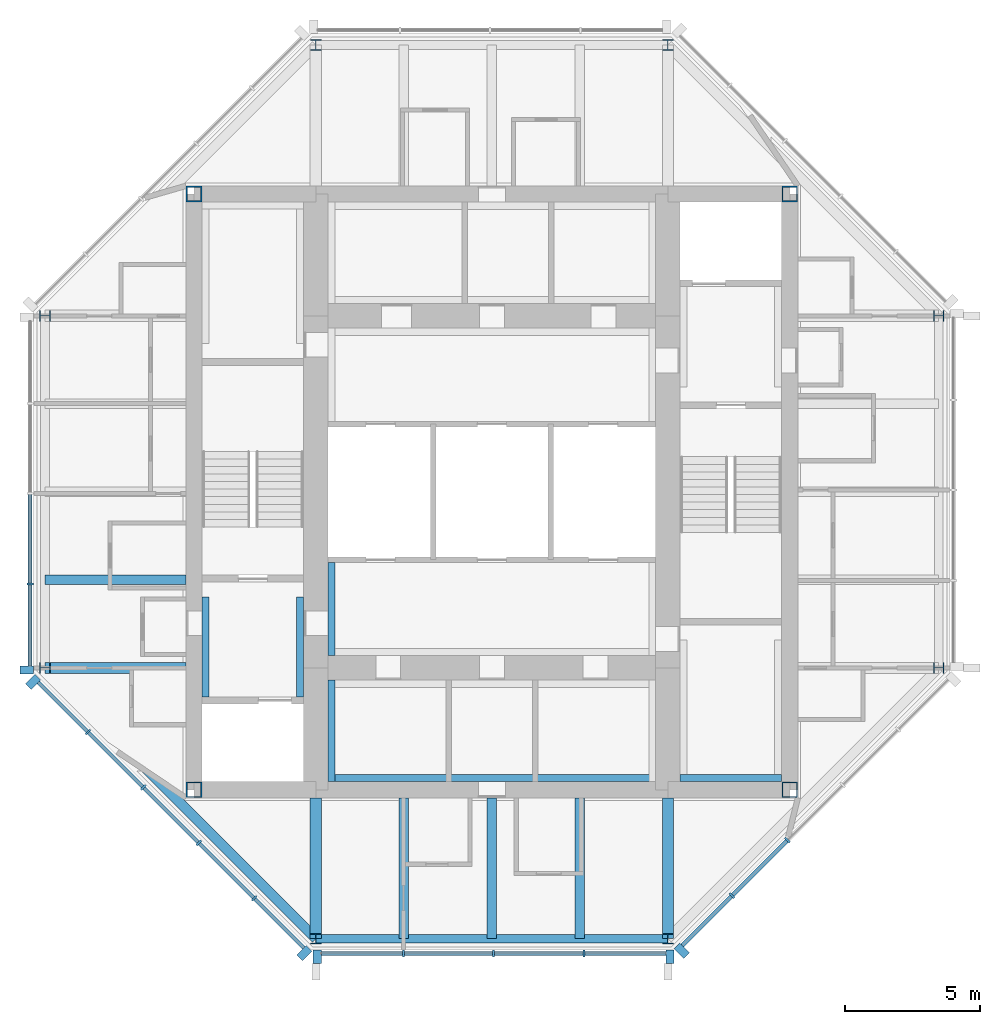
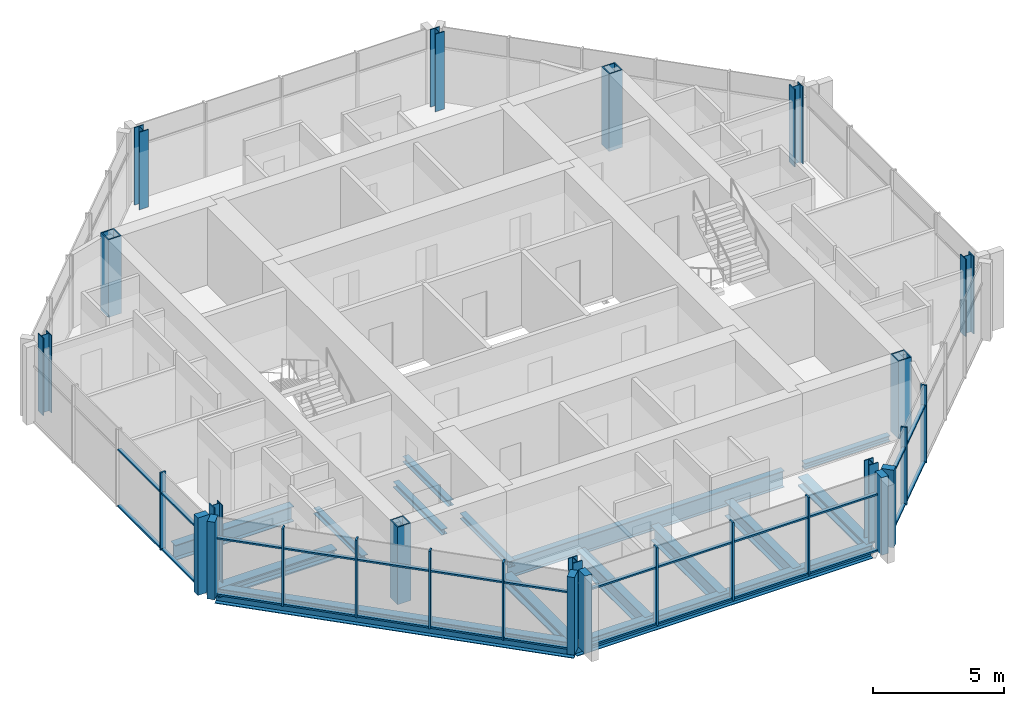
# One storey, part 1 of 9: 42 members, 15 beams, 12 columns, 4 elements without a shape of their own.
"""IFC4 building model written with IfcOpenShell, lengths in metres."""

from ifc_helpers import new_model, si_unit, direction, frame, origin, origin_2d, place, context, subcontext, project, spatial, rectangle, hollow_rectangle, i_section, extrude, material, material_profile, profile_set, type_object, element, aggregate, save


model = new_model("IFC4")

# Units and contexts
model_context = context("Model", 3, precision=1e-05, world=origin(), true_north=direction((0.0, 1.0)))
body_context = subcontext(model_context, "Body", "Model", "MODEL_VIEW")
ifc_project = project(units=[si_unit("LENGTHUNIT", "METRE"), si_unit("AREAUNIT", "SQUARE_METRE"), si_unit("VOLUMEUNIT", "CUBIC_METRE"), si_unit("PLANEANGLEUNIT", "RADIAN"), si_unit("MASSUNIT", "GRAM", prefix="KILO")], contexts=[model_context])

# Site, building, storey
site_placement = place(None, origin())
site = spatial("IfcSite", under=ifc_project, at=site_placement, CompositionType="ELEMENT")
building_placement = place(site_placement, origin())
building = spatial("IfcBuilding", under=site, at=building_placement, Name="Trevanion Tower", CompositionType="ELEMENT")
storey_placement = place(building_placement, frame((0.0, 0.0, 292.0)))
storey = spatial("IfcBuildingStorey", under=building, at=storey_placement, Name="L72", CompositionType="ELEMENT", Elevation=292.0)

# Columns
ifc_material_1 = material(Name="Steel ASTM A913 Grade 65", Category="steel")
ifc_material_profile_1 = material_profile(ifc_material_1, i_section(OverallWidth=0.4013671875, OverallDepth=0.398681640625, WebThickness=0.02490234375, FlangeThickness=0.03955078125, at=origin_2d()), Name="W14X211")
ifc_profile_set_1 = profile_set([ifc_material_profile_1], Name="Steel ASTM A913 Grade 65")
column_type_1 = type_object("IfcColumnType", Name="C6 W14X211", PredefinedType="COLUMN", material=ifc_profile_set_1)
for number, where, z_axis, x_axis, name in (
    (1, (-16.5, -6.5, 0.0), (0.0, 0.0, 1.0), (0.0, 1.0, 0.0), "C6 7/G L72"),
    (2, (-6.5, -16.5, 0.0), (0.0, 0.0, 1.0), (1.0, 0.0, 0.0), "C6 9/E L72"),
    (3, (6.5, -16.5, 0.0), (0.0, 0.0, 1.0), (1.0, 0.0, 0.0), "C6 11/E L72"),
    (4, (16.5, -6.5, 0.0), (0.0, 0.0, 1.0), (0.0, 1.0, 0.0), "C6 13/G L72"),
    (5, (16.5, 6.5, 0.0), (0.0, 0.0, 1.0), (0.0, 1.0, 0.0), "C6 13/J L72"),
    (6, (6.5, 16.5, 0.0), (0.0, 0.0, 1.0), (1.0, 0.0, 0.0), "C6 11/L L72"),
    (7, (-6.5, 16.5, 0.0), (0.0, 0.0, 1.0), (1.0, 0.0, 0.0), "C6 9/L L72"),
    (8, (-16.5, 6.5, 0.0), (0.0, 0.0, 1.0), (0.0, 1.0, 0.0), "C6 7/J L72"),
):
    element("IfcColumn", number, at=place(storey_placement, frame(where, z_axis=z_axis, x_axis=x_axis)), inside=storey, type_object=column_type_1, Name=name, PredefinedType="COLUMN", context=body_context, shape_type="SweptSolid", body=[
        extrude(i_section(OverallWidth=0.4013671875, OverallDepth=0.398681640625, WebThickness=0.02490234375, FlangeThickness=0.03955078125, at=origin_2d()), origin(), (0.0, 0.0, 1.0), 3.60009765625),
    ])
ifc_material_2 = material(Name="Steel ASTM A572 Grade 50", Category="steel")
ifc_material_profile_2 = material_profile(ifc_material_2, hollow_rectangle(XDim=0.584228515625, YDim=0.584228515625, WallThickness=0.05078125, at=origin_2d()), Name="BOX23X23X2")
ifc_profile_set_2 = profile_set([ifc_material_profile_2], Name="Steel ASTM A572 Grade 50")
column_type_2 = type_object("IfcColumnType", Name="CB1 BOX23X23X2", PredefinedType="COLUMN", material=ifc_profile_set_2)
for number, where, z_axis, x_axis, name in (
    (9, (11.0, 11.0, 0.0), (0.0, 0.0, 1.0), (1.0, 0.0, 0.0), "CB1 NE L72"),
    (10, (-11.0, 11.0, 0.0), (0.0, 0.0, 1.0), (1.0, 0.0, 0.0), "CB1 NW L72"),
    (11, (-11.0, -11.0, 0.0), (0.0, 0.0, 1.0), (1.0, 0.0, 0.0), "CB1 SW L72"),
    (12, (11.0, -11.0, 0.0), (0.0, 0.0, 1.0), (1.0, 0.0, 0.0), "CB1 SE L72"),
):
    element("IfcColumn", number, at=place(storey_placement, frame(where, z_axis=z_axis, x_axis=x_axis)), inside=storey, type_object=column_type_2, Name=name, PredefinedType="COLUMN", context=body_context, shape_type="SweptSolid", body=[
        extrude(hollow_rectangle(XDim=0.584228515625, YDim=0.584228515625, WallThickness=0.05078125, at=origin_2d()), origin(), (0.0, 0.0, 1.0), 3.60009765625),
    ])

# Beams
ifc_material_3 = material(Name="Steel ASTM A992 Grade 50", Category="steel")
ifc_material_profile_3 = material_profile(ifc_material_3, i_section(OverallWidth=0.355712890625, OverallDepth=0.700927734375, WebThickness=0.016845703125, FlangeThickness=0.02734375, at=origin_2d()), Name="W27X161")
ifc_profile_set_3 = profile_set([ifc_material_profile_3], Name="Steel ASTM A992 Grade 50")
beam_type_1 = type_object("IfcBeamType", Name="B15 W27X161", PredefinedType="BEAM", material=ifc_profile_set_3)
for number, where, z_axis, x_axis, name in (
    (13, (-11.300048828125, -3.25, -0.54052734375), (-1.0, 0.0, 0.0), (0.0, -1.0, 0.0), "B15 L72"),
    (14, (-3.25, -11.300048828125, -0.54052734375), (0.0, -1.0, 0.0), (1.0, 0.0, 0.0), "B15 L72"),
    (15, (0.0, -11.300048828125, -0.54052734375), (0.0, -1.0, 0.0), (1.0, 0.0, 0.0), "B15 L72"),
    (16, (3.25, -11.300048828125, -0.54052734375), (0.0, -1.0, 0.0), (1.0, 0.0, 0.0), "B15 L72"),
):
    element("IfcBeam", number, at=place(storey_placement, frame(where, z_axis=z_axis, x_axis=x_axis)), inside=storey, type_object=beam_type_1, Name=name, PredefinedType="BEAM", context=body_context, shape_type="SweptSolid", body=[
        extrude(i_section(OverallWidth=0.355712890625, OverallDepth=0.700927734375, WebThickness=0.016845703125, FlangeThickness=0.02734375, at=origin_2d()), origin(), (0.0, 0.0, 1.0), 5.199951171875),
    ])

# Curtain wall, member
ifc_material_4 = material(Name="Aluminium and glass", Category="aluminium")
curtain_wall_type = type_object("IfcCurtainWallType", Name="CW4 curtain wall", PredefinedType="USERDEFINED", material=ifc_material_4)
curtain_wall_1_placement = place(storey_placement, origin())
curtain_wall_1 = element("IfcCurtainWall", 17, at=curtain_wall_1_placement, inside=storey, type_object=curtain_wall_type, Name="CW4 L72 4", ObjectType="UNITISED CURTAIN WALL", PredefinedType="USERDEFINED")
ifc_material_5 = material(Name="Aluminium extrusion, anodised bronze", Category="aluminium")
ifc_material_profile_4 = material_profile(ifc_material_5, rectangle(XDim=0.074951171875, YDim=0.25, at=origin_2d()), Name="CW4 mullion")
ifc_profile_set_4 = profile_set([ifc_material_profile_4], Name="Aluminium extrusion, anodised bronze")
member_type_1 = type_object("IfcMemberType", Name="CW4 mullion", PredefinedType="MULLION", material=ifc_profile_set_4)
member_1_placement = place(storey_placement, frame((-17.050048828125, -3.396484375, -0.18994140625), z_axis=(0.0, 0.0, 1.0), x_axis=(0.0, -1.0, 0.0)))
member_1 = element("IfcMember", 18, at=member_1_placement, type_object=member_type_1, Name="CW4 mullion 4", PredefinedType="MULLION", context=body_context, shape_type="SweptSolid", body=[
    extrude(rectangle(XDim=0.074951171875, YDim=0.25, at=origin_2d()), origin(), (0.0, 0.0, 1.0), 3.599853515625),
])

# Curtain wall, members
curtain_wall_2_placement = place(storey_placement, origin())
curtain_wall_2 = element("IfcCurtainWall", 19, at=curtain_wall_2_placement, inside=storey, type_object=curtain_wall_type, Name="CW4 L72 5", ObjectType="UNITISED CURTAIN WALL", PredefinedType="USERDEFINED")
member_2_placement = place(storey_placement, frame((-14.912109375, -8.86572265625, -0.18994140625), z_axis=(0.0, 0.0, 1.0), x_axis=(0.707106781187, -0.707106781187, 0.0)))
member_2 = element("IfcMember", 20, at=member_2_placement, type_object=member_type_1, Name="CW4 mullion 2", PredefinedType="MULLION", context=body_context, shape_type="SweptSolid", body=[
    extrude(rectangle(XDim=0.074951171875, YDim=0.25, at=origin_2d()), origin(), (0.0, 0.0, 1.0), 3.599853515625),
])
member_3_placement = place(storey_placement, frame((-12.865966796875, -10.911865234375, -0.18994140625), z_axis=(0.0, 0.0, 1.0), x_axis=(0.707106781187, -0.707106781187, 0.0)))
member_3 = element("IfcMember", 21, at=member_3_placement, type_object=member_type_1, Name="CW4 mullion 3", PredefinedType="MULLION", context=body_context, shape_type="SweptSolid", body=[
    extrude(rectangle(XDim=0.074951171875, YDim=0.25, at=origin_2d()), origin(), (0.0, 0.0, 1.0), 3.599853515625),
])
member_4_placement = place(storey_placement, frame((-10.81982421875, -12.9580078125, -0.18994140625), z_axis=(0.0, 0.0, 1.0), x_axis=(0.707106781187, -0.707106781187, 0.0)))
member_4 = element("IfcMember", 22, at=member_4_placement, type_object=member_type_1, Name="CW4 mullion 4", PredefinedType="MULLION", context=body_context, shape_type="SweptSolid", body=[
    extrude(rectangle(XDim=0.074951171875, YDim=0.25, at=origin_2d()), origin(), (0.0, 0.0, 1.0), 3.599853515625),
])
member_5_placement = place(storey_placement, frame((-8.77392578125, -15.00390625, -0.18994140625), z_axis=(0.0, 0.0, 1.0), x_axis=(0.707106781187, -0.707106781187, 0.0)))
member_5 = element("IfcMember", 23, at=member_5_placement, type_object=member_type_1, Name="CW4 mullion 5", PredefinedType="MULLION", context=body_context, shape_type="SweptSolid", body=[
    extrude(rectangle(XDim=0.074951171875, YDim=0.25, at=origin_2d()), origin(), (0.0, 0.0, 1.0), 3.599853515625),
])

curtain_wall_3_placement = place(storey_placement, origin())
curtain_wall_3 = element("IfcCurtainWall", 24, at=curtain_wall_3_placement, inside=storey, type_object=curtain_wall_type, Name="CW4 L72 6", ObjectType="UNITISED CURTAIN WALL", PredefinedType="USERDEFINED")
member_6_placement = place(storey_placement, frame((-3.266357421875, -17.050048828125, -0.18994140625), z_axis=(0.0, 0.0, 1.0), x_axis=(1.0, 0.0, 0.0)))
member_6 = element("IfcMember", 25, at=member_6_placement, type_object=member_type_1, Name="CW4 mullion 2", PredefinedType="MULLION", context=body_context, shape_type="SweptSolid", body=[
    extrude(rectangle(XDim=0.074951171875, YDim=0.25, at=origin_2d()), origin(), (0.0, 0.0, 1.0), 3.599853515625),
])
member_7_placement = place(storey_placement, frame((0.06494140625, -17.050048828125, -0.18994140625), z_axis=(0.0, 0.0, 1.0), x_axis=(1.0, 0.0, 0.0)))
member_7 = element("IfcMember", 26, at=member_7_placement, type_object=member_type_1, Name="CW4 mullion 3", PredefinedType="MULLION", context=body_context, shape_type="SweptSolid", body=[
    extrude(rectangle(XDim=0.074951171875, YDim=0.25, at=origin_2d()), origin(), (0.0, 0.0, 1.0), 3.599853515625),
])
member_8_placement = place(storey_placement, frame((3.396484375, -17.050048828125, -0.18994140625), z_axis=(0.0, 0.0, 1.0), x_axis=(1.0, 0.0, 0.0)))
member_8 = element("IfcMember", 27, at=member_8_placement, type_object=member_type_1, Name="CW4 mullion 4", PredefinedType="MULLION", context=body_context, shape_type="SweptSolid", body=[
    extrude(rectangle(XDim=0.074951171875, YDim=0.25, at=origin_2d()), origin(), (0.0, 0.0, 1.0), 3.599853515625),
])

curtain_wall_4_placement = place(storey_placement, origin())
curtain_wall_4 = element("IfcCurtainWall", 28, at=curtain_wall_4_placement, inside=storey, type_object=curtain_wall_type, Name="CW4 L72 7", ObjectType="UNITISED CURTAIN WALL", PredefinedType="USERDEFINED")
member_9_placement = place(storey_placement, frame((8.86572265625, -14.912109375, -0.18994140625), z_axis=(0.0, 0.0, 1.0), x_axis=(0.707106781187, 0.707106781187, 0.0)))
member_9 = element("IfcMember", 29, at=member_9_placement, type_object=member_type_1, Name="CW4 mullion 2", PredefinedType="MULLION", context=body_context, shape_type="SweptSolid", body=[
    extrude(rectangle(XDim=0.074951171875, YDim=0.25, at=origin_2d()), origin(), (0.0, 0.0, 1.0), 3.599853515625),
])
member_10_placement = place(storey_placement, frame((10.911865234375, -12.865966796875, -0.18994140625), z_axis=(0.0, 0.0, 1.0), x_axis=(0.707106781187, 0.707106781187, 0.0)))
member_10 = element("IfcMember", 30, at=member_10_placement, type_object=member_type_1, Name="CW4 mullion 3", PredefinedType="MULLION", context=body_context, shape_type="SweptSolid", body=[
    extrude(rectangle(XDim=0.074951171875, YDim=0.25, at=origin_2d()), origin(), (0.0, 0.0, 1.0), 3.599853515625),
])

# Member
ifc_material_6 = material(Name="Aluminium extrusion, anodised bronze", Category="aluminium")
ifc_material_profile_5 = material_profile(ifc_material_6, rectangle(XDim=0.300048828125, YDim=0.5, at=origin_2d()), Name="CW4 pier mullion")
ifc_profile_set_5 = profile_set([ifc_material_profile_5], Name="Aluminium extrusion, anodised bronze")
member_type_2 = type_object("IfcMemberType", Name="CW4 pier mullion", PredefinedType="MULLION", material=ifc_profile_set_5)
member_11_placement = place(storey_placement, frame((-17.175048828125, -6.577880859375, -0.18994140625), z_axis=(0.0, 0.0, 1.0), x_axis=(0.0, -1.0, 0.0)))
member_11 = element("IfcMember", 31, at=member_11_placement, type_object=member_type_2, Name="CW4 pier mullion 5", PredefinedType="MULLION", context=body_context, shape_type="SweptSolid", body=[
    extrude(rectangle(XDim=0.300048828125, YDim=0.5, at=origin_2d()), origin(), (0.0, 0.0, 1.0), 3.599853515625),
])

member_12_placement = place(storey_placement, frame((-16.9404296875, -7.01416015625, -0.18994140625), z_axis=(0.0, 0.0, 1.0), x_axis=(0.707106781187, -0.707106781187, 0.0)))
member_12 = element("IfcMember", 32, at=member_12_placement, type_object=member_type_2, Name="CW4 pier mullion 1", PredefinedType="MULLION", context=body_context, shape_type="SweptSolid", body=[
    extrude(rectangle(XDim=0.300048828125, YDim=0.5, at=origin_2d()), origin(), (0.0, 0.0, 1.0), 3.599853515625),
])

member_13_placement = place(storey_placement, frame((-6.92236328125, -17.0322265625, -0.18994140625), z_axis=(0.0, 0.0, 1.0), x_axis=(0.707106781187, -0.707106781187, 0.0)))
member_13 = element("IfcMember", 33, at=member_13_placement, type_object=member_type_2, Name="CW4 pier mullion 6", PredefinedType="MULLION", context=body_context, shape_type="SweptSolid", body=[
    extrude(rectangle(XDim=0.300048828125, YDim=0.5, at=origin_2d()), origin(), (0.0, 0.0, 1.0), 3.599853515625),
])

member_14_placement = place(storey_placement, frame((-6.44775390625, -17.175048828125, -0.18994140625), z_axis=(0.0, 0.0, 1.0), x_axis=(1.0, 0.0, 0.0)))
member_14 = element("IfcMember", 34, at=member_14_placement, type_object=member_type_2, Name="CW4 pier mullion 1", PredefinedType="MULLION", context=body_context, shape_type="SweptSolid", body=[
    extrude(rectangle(XDim=0.300048828125, YDim=0.5, at=origin_2d()), origin(), (0.0, 0.0, 1.0), 3.599853515625),
])

member_15_placement = place(storey_placement, frame((6.577880859375, -17.175048828125, -0.18994140625), z_axis=(0.0, 0.0, 1.0), x_axis=(1.0, 0.0, 0.0)))
member_15 = element("IfcMember", 35, at=member_15_placement, type_object=member_type_2, Name="CW4 pier mullion 5", PredefinedType="MULLION", context=body_context, shape_type="SweptSolid", body=[
    extrude(rectangle(XDim=0.300048828125, YDim=0.5, at=origin_2d()), origin(), (0.0, 0.0, 1.0), 3.599853515625),
])

member_16_placement = place(storey_placement, frame((7.01416015625, -16.9404296875, -0.18994140625), z_axis=(0.0, 0.0, 1.0), x_axis=(0.707106781187, 0.707106781187, 0.0)))
member_16 = element("IfcMember", 36, at=member_16_placement, type_object=member_type_2, Name="CW4 pier mullion 1", PredefinedType="MULLION", context=body_context, shape_type="SweptSolid", body=[
    extrude(rectangle(XDim=0.300048828125, YDim=0.5, at=origin_2d()), origin(), (0.0, 0.0, 1.0), 3.599853515625),
])

ifc_material_7 = material(Name="Aluminium extrusion, anodised bronze", Category="aluminium")
ifc_material_profile_6 = material_profile(ifc_material_7, rectangle(XDim=0.14990234375, YDim=0.074951171875, at=origin_2d()), Name="CW4 transom")
ifc_profile_set_6 = profile_set([ifc_material_profile_6], Name="Aluminium extrusion, anodised bronze")
member_type_3 = type_object("IfcMemberType", Name="CW4 transom", PredefinedType="USERDEFINED", material=ifc_profile_set_6)
member_17_placement = place(storey_placement, frame((-17.050048828125, -0.1025390625, -0.152587890625), z_axis=(0.0, -1.0, 0.0), x_axis=(1.0, 0.0, 0.0)))
member_17 = element("IfcMember", 37, at=member_17_placement, type_object=member_type_3, Name="CW4 transom 3.1", ObjectType="TRANSOM", PredefinedType="USERDEFINED", context=body_context, shape_type="SweptSolid", body=[
    extrude(rectangle(XDim=0.14990234375, YDim=0.074951171875, at=origin_2d()), origin(), (0.0, 0.0, 1.0), 3.25634765625),
])

member_18_placement = place(storey_placement, frame((-17.050048828125, -0.1025390625, 2.4599609375), z_axis=(0.0, -1.0, 0.0), x_axis=(1.0, 0.0, 0.0)))
member_18 = element("IfcMember", 38, at=member_18_placement, type_object=member_type_3, Name="CW4 transom 3.2", ObjectType="TRANSOM", PredefinedType="USERDEFINED", context=body_context, shape_type="SweptSolid", body=[
    extrude(rectangle(XDim=0.14990234375, YDim=0.074951171875, at=origin_2d()), origin(), (0.0, 0.0, 1.0), 3.25634765625),
])

member_19_placement = place(storey_placement, frame((-17.050048828125, -3.433837890625, -0.152587890625), z_axis=(0.0, -1.0, 0.0), x_axis=(1.0, 0.0, 0.0)))
member_19 = element("IfcMember", 39, at=member_19_placement, type_object=member_type_3, Name="CW4 transom 4.1", ObjectType="TRANSOM", PredefinedType="USERDEFINED", context=body_context, shape_type="SweptSolid", body=[
    extrude(rectangle(XDim=0.14990234375, YDim=0.074951171875, at=origin_2d()), origin(), (0.0, 0.0, 1.0), 2.993896484375),
])

member_20_placement = place(storey_placement, frame((-17.050048828125, -3.433837890625, 2.4599609375), z_axis=(0.0, -1.0, 0.0), x_axis=(1.0, 0.0, 0.0)))
member_20 = element("IfcMember", 40, at=member_20_placement, type_object=member_type_3, Name="CW4 transom 4.2", ObjectType="TRANSOM", PredefinedType="USERDEFINED", context=body_context, shape_type="SweptSolid", body=[
    extrude(rectangle(XDim=0.14990234375, YDim=0.074951171875, at=origin_2d()), origin(), (0.0, 0.0, 1.0), 2.993896484375),
])

aggregate(curtain_wall_1, [member_1, member_11, member_17, member_18, member_19, member_20])

member_21_placement = place(storey_placement, frame((-16.745849609375, -7.031982421875, -0.152587890625), z_axis=(0.707106781187, -0.707106781187, 0.0), x_axis=(0.707106781187, 0.707106781187, 0.0)))
member_21 = element("IfcMember", 41, at=member_21_placement, type_object=member_type_3, Name="CW4 transom 1.1", ObjectType="TRANSOM", PredefinedType="USERDEFINED", context=body_context, shape_type="SweptSolid", body=[
    extrude(rectangle(XDim=0.14990234375, YDim=0.074951171875, at=origin_2d()), origin(), (0.0, 0.0, 1.0), 2.555908203125),
])

member_22_placement = place(storey_placement, frame((-16.745849609375, -7.031982421875, 2.4599609375), z_axis=(0.707106781187, -0.707106781187, 0.0), x_axis=(0.707106781187, 0.707106781187, 0.0)))
member_22 = element("IfcMember", 42, at=member_22_placement, type_object=member_type_3, Name="CW4 transom 1.2", ObjectType="TRANSOM", PredefinedType="USERDEFINED", context=body_context, shape_type="SweptSolid", body=[
    extrude(rectangle(XDim=0.14990234375, YDim=0.074951171875, at=origin_2d()), origin(), (0.0, 0.0, 1.0), 2.555908203125),
])

member_23_placement = place(storey_placement, frame((-14.885498046875, -8.892333984375, -0.152587890625), z_axis=(0.707106781187, -0.707106781187, 0.0), x_axis=(0.707106781187, 0.707106781187, 0.0)))
member_23 = element("IfcMember", 43, at=member_23_placement, type_object=member_type_3, Name="CW4 transom 2.1", ObjectType="TRANSOM", PredefinedType="USERDEFINED", context=body_context, shape_type="SweptSolid", body=[
    extrude(rectangle(XDim=0.14990234375, YDim=0.074951171875, at=origin_2d()), origin(), (0.0, 0.0, 1.0), 2.818359375),
])

member_24_placement = place(storey_placement, frame((-14.885498046875, -8.892333984375, 2.4599609375), z_axis=(0.707106781187, -0.707106781187, 0.0), x_axis=(0.707106781187, 0.707106781187, 0.0)))
member_24 = element("IfcMember", 44, at=member_24_placement, type_object=member_type_3, Name="CW4 transom 2.2", ObjectType="TRANSOM", PredefinedType="USERDEFINED", context=body_context, shape_type="SweptSolid", body=[
    extrude(rectangle(XDim=0.14990234375, YDim=0.074951171875, at=origin_2d()), origin(), (0.0, 0.0, 1.0), 2.818359375),
])

member_25_placement = place(storey_placement, frame((-12.839599609375, -10.9384765625, -0.152587890625), z_axis=(0.707150088905, -0.707063470815, 0.0), x_axis=(0.707063470815, 0.707150088905, 0.0)))
member_25 = element("IfcMember", 45, at=member_25_placement, type_object=member_type_3, Name="CW4 transom 3.1", ObjectType="TRANSOM", PredefinedType="USERDEFINED", context=body_context, shape_type="SweptSolid", body=[
    extrude(rectangle(XDim=0.14990234375, YDim=0.074951171875, at=origin_2d()), origin(), (0.0, 0.0, 1.0), 2.818603515625),
])

member_26_placement = place(storey_placement, frame((-12.839599609375, -10.9384765625, 2.4599609375), z_axis=(0.707150088905, -0.707063470815, 0.0), x_axis=(0.707063470815, 0.707150088905, 0.0)))
member_26 = element("IfcMember", 46, at=member_26_placement, type_object=member_type_3, Name="CW4 transom 3.2", ObjectType="TRANSOM", PredefinedType="USERDEFINED", context=body_context, shape_type="SweptSolid", body=[
    extrude(rectangle(XDim=0.14990234375, YDim=0.074951171875, at=origin_2d()), origin(), (0.0, 0.0, 1.0), 2.818603515625),
])

member_27_placement = place(storey_placement, frame((-10.79345703125, -12.984375, -0.152587890625), z_axis=(0.707150088905, -0.707063470815, 0.0), x_axis=(0.707063470815, 0.707150088905, 0.0)))
member_27 = element("IfcMember", 47, at=member_27_placement, type_object=member_type_3, Name="CW4 transom 4.1", ObjectType="TRANSOM", PredefinedType="USERDEFINED", context=body_context, shape_type="SweptSolid", body=[
    extrude(rectangle(XDim=0.14990234375, YDim=0.074951171875, at=origin_2d()), origin(), (0.0, 0.0, 1.0), 2.818603515625),
])

member_28_placement = place(storey_placement, frame((-10.79345703125, -12.984375, 2.4599609375), z_axis=(0.707150088905, -0.707063470815, 0.0), x_axis=(0.707063470815, 0.707150088905, 0.0)))
member_28 = element("IfcMember", 48, at=member_28_placement, type_object=member_type_3, Name="CW4 transom 4.2", ObjectType="TRANSOM", PredefinedType="USERDEFINED", context=body_context, shape_type="SweptSolid", body=[
    extrude(rectangle(XDim=0.14990234375, YDim=0.074951171875, at=origin_2d()), origin(), (0.0, 0.0, 1.0), 2.818603515625),
])

member_29_placement = place(storey_placement, frame((-8.747314453125, -15.030517578125, -0.152587890625), z_axis=(0.707106781187, -0.707106781187, 0.0), x_axis=(0.707106781187, 0.707106781187, 0.0)))
member_29 = element("IfcMember", 49, at=member_29_placement, type_object=member_type_3, Name="CW4 transom 5.1", ObjectType="TRANSOM", PredefinedType="USERDEFINED", context=body_context, shape_type="SweptSolid", body=[
    extrude(rectangle(XDim=0.14990234375, YDim=0.074951171875, at=origin_2d()), origin(), (0.0, 0.0, 1.0), 2.555908203125),
])

member_30_placement = place(storey_placement, frame((-8.747314453125, -15.030517578125, 2.4599609375), z_axis=(0.707106781187, -0.707106781187, 0.0), x_axis=(0.707106781187, 0.707106781187, 0.0)))
member_30 = element("IfcMember", 50, at=member_30_placement, type_object=member_type_3, Name="CW4 transom 5.2", ObjectType="TRANSOM", PredefinedType="USERDEFINED", context=body_context, shape_type="SweptSolid", body=[
    extrude(rectangle(XDim=0.14990234375, YDim=0.074951171875, at=origin_2d()), origin(), (0.0, 0.0, 1.0), 2.555908203125),
])

aggregate(curtain_wall_2, [member_12, member_2, member_3, member_4, member_5, member_13, member_21, member_22, member_23, member_24, member_25, member_26, member_27, member_28, member_29, member_30])

member_31_placement = place(storey_placement, frame((-6.2978515625, -17.050048828125, -0.152587890625), z_axis=(1.0, 0.0, 0.0), x_axis=(0.0, 1.0, 0.0)))
member_31 = element("IfcMember", 51, at=member_31_placement, type_object=member_type_3, Name="CW4 transom 1.1", ObjectType="TRANSOM", PredefinedType="USERDEFINED", context=body_context, shape_type="SweptSolid", body=[
    extrude(rectangle(XDim=0.14990234375, YDim=0.074951171875, at=origin_2d()), origin(), (0.0, 0.0, 1.0), 2.993896484375),
])

member_32_placement = place(storey_placement, frame((-6.2978515625, -17.050048828125, 2.4599609375), z_axis=(1.0, 0.0, 0.0), x_axis=(0.0, 1.0, 0.0)))
member_32 = element("IfcMember", 52, at=member_32_placement, type_object=member_type_3, Name="CW4 transom 1.2", ObjectType="TRANSOM", PredefinedType="USERDEFINED", context=body_context, shape_type="SweptSolid", body=[
    extrude(rectangle(XDim=0.14990234375, YDim=0.074951171875, at=origin_2d()), origin(), (0.0, 0.0, 1.0), 2.993896484375),
])

member_33_placement = place(storey_placement, frame((-3.22900390625, -17.050048828125, -0.152587890625), z_axis=(1.0, 0.0, 0.0), x_axis=(0.0, 1.0, 0.0)))
member_33 = element("IfcMember", 53, at=member_33_placement, type_object=member_type_3, Name="CW4 transom 2.1", ObjectType="TRANSOM", PredefinedType="USERDEFINED", context=body_context, shape_type="SweptSolid", body=[
    extrude(rectangle(XDim=0.14990234375, YDim=0.074951171875, at=origin_2d()), origin(), (0.0, 0.0, 1.0), 3.256591796875),
])

member_34_placement = place(storey_placement, frame((-3.22900390625, -17.050048828125, 2.4599609375), z_axis=(1.0, 0.0, 0.0), x_axis=(0.0, 1.0, 0.0)))
member_34 = element("IfcMember", 54, at=member_34_placement, type_object=member_type_3, Name="CW4 transom 2.2", ObjectType="TRANSOM", PredefinedType="USERDEFINED", context=body_context, shape_type="SweptSolid", body=[
    extrude(rectangle(XDim=0.14990234375, YDim=0.074951171875, at=origin_2d()), origin(), (0.0, 0.0, 1.0), 3.256591796875),
])

member_35_placement = place(storey_placement, frame((0.1025390625, -17.050048828125, -0.152587890625), z_axis=(1.0, 0.0, 0.0), x_axis=(0.0, 1.0, 0.0)))
member_35 = element("IfcMember", 55, at=member_35_placement, type_object=member_type_3, Name="CW4 transom 3.1", ObjectType="TRANSOM", PredefinedType="USERDEFINED", context=body_context, shape_type="SweptSolid", body=[
    extrude(rectangle(XDim=0.14990234375, YDim=0.074951171875, at=origin_2d()), origin(), (0.0, 0.0, 1.0), 3.25634765625),
])

member_36_placement = place(storey_placement, frame((0.1025390625, -17.050048828125, 2.4599609375), z_axis=(1.0, 0.0, 0.0), x_axis=(0.0, 1.0, 0.0)))
member_36 = element("IfcMember", 56, at=member_36_placement, type_object=member_type_3, Name="CW4 transom 3.2", ObjectType="TRANSOM", PredefinedType="USERDEFINED", context=body_context, shape_type="SweptSolid", body=[
    extrude(rectangle(XDim=0.14990234375, YDim=0.074951171875, at=origin_2d()), origin(), (0.0, 0.0, 1.0), 3.25634765625),
])

member_37_placement = place(storey_placement, frame((3.433837890625, -17.050048828125, -0.152587890625), z_axis=(1.0, 0.0, 0.0), x_axis=(0.0, 1.0, 0.0)))
member_37 = element("IfcMember", 57, at=member_37_placement, type_object=member_type_3, Name="CW4 transom 4.1", ObjectType="TRANSOM", PredefinedType="USERDEFINED", context=body_context, shape_type="SweptSolid", body=[
    extrude(rectangle(XDim=0.14990234375, YDim=0.074951171875, at=origin_2d()), origin(), (0.0, 0.0, 1.0), 2.993896484375),
])

member_38_placement = place(storey_placement, frame((3.433837890625, -17.050048828125, 2.4599609375), z_axis=(1.0, 0.0, 0.0), x_axis=(0.0, 1.0, 0.0)))
member_38 = element("IfcMember", 58, at=member_38_placement, type_object=member_type_3, Name="CW4 transom 4.2", ObjectType="TRANSOM", PredefinedType="USERDEFINED", context=body_context, shape_type="SweptSolid", body=[
    extrude(rectangle(XDim=0.14990234375, YDim=0.074951171875, at=origin_2d()), origin(), (0.0, 0.0, 1.0), 2.993896484375),
])

aggregate(curtain_wall_3, [member_14, member_6, member_7, member_8, member_15, member_31, member_32, member_33, member_34, member_35, member_36, member_37, member_38])

member_39_placement = place(storey_placement, frame((7.031982421875, -16.745849609375, -0.152587890625), z_axis=(0.707106781187, 0.707106781187, 0.0), x_axis=(-0.707106781187, 0.707106781187, 0.0)))
member_39 = element("IfcMember", 59, at=member_39_placement, type_object=member_type_3, Name="CW4 transom 1.1", ObjectType="TRANSOM", PredefinedType="USERDEFINED", context=body_context, shape_type="SweptSolid", body=[
    extrude(rectangle(XDim=0.14990234375, YDim=0.074951171875, at=origin_2d()), origin(), (0.0, 0.0, 1.0), 2.555908203125),
])

member_40_placement = place(storey_placement, frame((7.031982421875, -16.745849609375, 2.4599609375), z_axis=(0.707106781187, 0.707106781187, 0.0), x_axis=(-0.707106781187, 0.707106781187, 0.0)))
member_40 = element("IfcMember", 60, at=member_40_placement, type_object=member_type_3, Name="CW4 transom 1.2", ObjectType="TRANSOM", PredefinedType="USERDEFINED", context=body_context, shape_type="SweptSolid", body=[
    extrude(rectangle(XDim=0.14990234375, YDim=0.074951171875, at=origin_2d()), origin(), (0.0, 0.0, 1.0), 2.555908203125),
])

member_41_placement = place(storey_placement, frame((8.892333984375, -14.885498046875, -0.152587890625), z_axis=(0.707106781187, 0.707106781187, 0.0), x_axis=(-0.707106781187, 0.707106781187, 0.0)))
member_41 = element("IfcMember", 61, at=member_41_placement, type_object=member_type_3, Name="CW4 transom 2.1", ObjectType="TRANSOM", PredefinedType="USERDEFINED", context=body_context, shape_type="SweptSolid", body=[
    extrude(rectangle(XDim=0.14990234375, YDim=0.074951171875, at=origin_2d()), origin(), (0.0, 0.0, 1.0), 2.818359375),
])

member_42_placement = place(storey_placement, frame((8.892333984375, -14.885498046875, 2.4599609375), z_axis=(0.707106781187, 0.707106781187, 0.0), x_axis=(-0.707106781187, 0.707106781187, 0.0)))
member_42 = element("IfcMember", 62, at=member_42_placement, type_object=member_type_3, Name="CW4 transom 2.2", ObjectType="TRANSOM", PredefinedType="USERDEFINED", context=body_context, shape_type="SweptSolid", body=[
    extrude(rectangle(XDim=0.14990234375, YDim=0.074951171875, at=origin_2d()), origin(), (0.0, 0.0, 1.0), 2.818359375),
])

aggregate(curtain_wall_4, [member_16, member_9, member_10, member_39, member_40, member_41, member_42])

# Beams
ifc_material_8 = material(Name="Steel ASTM A992 Grade 50", Category="steel")
ifc_material_profile_7 = material_profile(ifc_material_8, i_section(OverallWidth=0.41650390625, OverallDepth=0.444580078125, WebThickness=0.0390625, FlangeThickness=0.062744140625, at=origin_2d()), Name="W14X342")
ifc_profile_set_7 = profile_set([ifc_material_profile_7], Name="Steel ASTM A992 Grade 50")
beam_type_2 = type_object("IfcBeamType", Name="G8 W14X342", PredefinedType="BEAM", material=ifc_profile_set_7)
for number, where, z_axis, x_axis, name in (
    (63, (-11.300048828125, -6.5, -0.412109375), (-1.0, 0.0, 0.0), (0.0, -1.0, 0.0), "G8 L72"),
    (64, (-6.5, -11.300048828125, -0.412109375), (0.0, -1.0, 0.0), (1.0, 0.0, 0.0), "G8 L72"),
    (65, (6.5, -11.300048828125, -0.412109375), (0.0, -1.0, 0.0), (1.0, 0.0, 0.0), "G8 L72"),
):
    element("IfcBeam", number, at=place(storey_placement, frame(where, z_axis=z_axis, x_axis=x_axis)), inside=storey, type_object=beam_type_2, Name=name, PredefinedType="BEAM", context=body_context, shape_type="SweptSolid", body=[
        extrude(i_section(OverallWidth=0.41650390625, OverallDepth=0.444580078125, WebThickness=0.0390625, FlangeThickness=0.062744140625, at=origin_2d()), origin(), (0.0, 0.0, 1.0), 5.199951171875),
    ])
ifc_material_9 = material(Name="Steel ASTM A992 Grade 50", Category="steel")
ifc_material_profile_8 = material_profile(ifc_material_9, i_section(OverallWidth=0.256591796875, OverallDepth=0.26416015625, WebThickness=0.011962890625, FlangeThickness=0.01953125, at=origin_2d()), Name="W10X68")
ifc_profile_set_8 = profile_set([ifc_material_profile_8], Name="Steel ASTM A992 Grade 50")
beam_type_3 = type_object("IfcBeamType", Name="LB1 W10X68", PredefinedType="BEAM", material=ifc_profile_set_8)
beam_1_placement = place(storey_placement, frame((-5.921630859375, -6.050048828125, -0.33203125), z_axis=(0.0, 1.0, 0.0), x_axis=(-1.0, 0.0, 0.0)))
element("IfcBeam", 66, at=beam_1_placement, inside=storey, type_object=beam_type_3, Name="LB1 L72", PredefinedType="BEAM", context=body_context, shape_type="SweptSolid", body=[
    extrude(i_section(OverallWidth=0.256591796875, OverallDepth=0.26416015625, WebThickness=0.011962890625, FlangeThickness=0.01953125, at=origin_2d()), origin(), (0.0, 0.0, 1.0), 3.449951171875),
])
for number, where, z_axis, x_axis, name in (
    (67, (-10.57177734375, -7.574951171875, -0.33203125), (0.0, 1.0, 0.0), (-1.0, 0.0, 0.0), "LB1 L72"),
    (68, (-7.078369140625, -7.574951171875, -0.33203125), (0.0, 1.0, 0.0), (-1.0, 0.0, 0.0), "LB1 L72"),
):
    element("IfcBeam", number, at=place(storey_placement, frame(where, z_axis=z_axis, x_axis=x_axis)), inside=storey, type_object=beam_type_3, Name=name, PredefinedType="BEAM", context=body_context, shape_type="SweptSolid", body=[
        extrude(i_section(OverallWidth=0.256591796875, OverallDepth=0.26416015625, WebThickness=0.011962890625, FlangeThickness=0.01953125, at=origin_2d()), origin(), (0.0, 0.0, 1.0), 3.699951171875),
    ])
for number, where, z_axis, x_axis, name in (
    (69, (6.949951171875, -10.57177734375, -0.33203125), (1.0, 0.0, 0.0), (0.0, 1.0, 0.0), "LB1 L72"),
    (70, (-5.921630859375, -10.699951171875, -0.33203125), (0.0, 1.0, 0.0), (-1.0, 0.0, 0.0), "LB1 L72"),
):
    element("IfcBeam", number, at=place(storey_placement, frame(where, z_axis=z_axis, x_axis=x_axis)), inside=storey, type_object=beam_type_3, Name=name, PredefinedType="BEAM", context=body_context, shape_type="SweptSolid", body=[
        extrude(i_section(OverallWidth=0.256591796875, OverallDepth=0.26416015625, WebThickness=0.011962890625, FlangeThickness=0.01953125, at=origin_2d()), origin(), (0.0, 0.0, 1.0), 3.75),
    ])
ifc_material_10 = material(Name="Steel ASTM A992 Grade 50", Category="steel")
ifc_material_profile_9 = material_profile(ifc_material_10, i_section(OverallWidth=0.2666015625, OverallDepth=0.76953125, WebThickness=0.015625, FlangeThickness=0.025390625, at=origin_2d()), Name="W30X132")
ifc_profile_set_9 = profile_set([ifc_material_profile_9], Name="Steel ASTM A992 Grade 50")
beam_type_4 = type_object("IfcBeamType", Name="LB3 W30X132", PredefinedType="BEAM", material=ifc_profile_set_9)
beam_2_placement = place(storey_placement, frame((-6.050048828125, -10.566650390625, -0.584716796875), z_axis=(1.0, 0.0, 0.0), x_axis=(0.0, 1.0, 0.0)))
element("IfcBeam", 71, at=beam_2_placement, inside=storey, type_object=beam_type_4, Name="LB3 L72", PredefinedType="BEAM", context=body_context, shape_type="SweptSolid", body=[
    extrude(i_section(OverallWidth=0.2666015625, OverallDepth=0.76953125, WebThickness=0.015625, FlangeThickness=0.025390625, at=origin_2d()), origin(), (0.0, 0.0, 1.0), 12.10009765625),
])
ifc_material_11 = material(Name="Steel ASTM A992 Grade 50", Category="steel")
ifc_material_profile_10 = material_profile(ifc_material_11, i_section(OverallWidth=0.32763671875, OverallDepth=0.622314453125, WebThickness=0.015380859375, FlangeThickness=0.0244140625, at=origin_2d()), Name="W24X131")
ifc_profile_set_10 = profile_set([ifc_material_profile_10], Name="Steel ASTM A992 Grade 50")
beam_type_5 = type_object("IfcBeamType", Name="SB12 W24X131", PredefinedType="SPANDREL", material=ifc_profile_set_10)
beam_3_placement = place(storey_placement, frame((-6.5, -16.5, -0.501220703125), z_axis=(1.0, 0.0, 0.0), x_axis=(0.0, 1.0, 0.0)))
element("IfcBeam", 72, at=beam_3_placement, inside=storey, type_object=beam_type_5, Name="SB12 L72", PredefinedType="SPANDREL", context=body_context, shape_type="SweptSolid", body=[
    extrude(i_section(OverallWidth=0.32763671875, OverallDepth=0.622314453125, WebThickness=0.015380859375, FlangeThickness=0.0244140625, at=origin_2d()), origin(), (0.0, 0.0, 1.0), 13.0),
])
ifc_material_12 = material(Name="Steel ASTM A992 Grade 50", Category="steel")
ifc_material_profile_11 = material_profile(ifc_material_12, i_section(OverallWidth=0.358154296875, OverallDepth=0.7060546875, WebThickness=0.018310546875, FlangeThickness=0.0302734375, at=origin_2d()), Name="W27X178")
ifc_profile_set_11 = profile_set([ifc_material_profile_11], Name="Steel ASTM A992 Grade 50")
beam_type_6 = type_object("IfcBeamType", Name="SB13 W27X178", PredefinedType="SPANDREL", material=ifc_profile_set_11)
beam_4_placement = place(storey_placement, frame((-16.5, -6.5, -0.543212890625), z_axis=(0.707106781187, -0.707106781187, 0.0), x_axis=(0.707106781187, 0.707106781187, 0.0)))
element("IfcBeam", 73, at=beam_4_placement, inside=storey, type_object=beam_type_6, Name="SB13 L72", PredefinedType="SPANDREL", context=body_context, shape_type="SweptSolid", body=[
    extrude(i_section(OverallWidth=0.358154296875, OverallDepth=0.7060546875, WebThickness=0.018310546875, FlangeThickness=0.0302734375, at=origin_2d()), origin(), (0.0, 0.0, 1.0), 14.14208984375),
])

save(model, "model.ifc")
